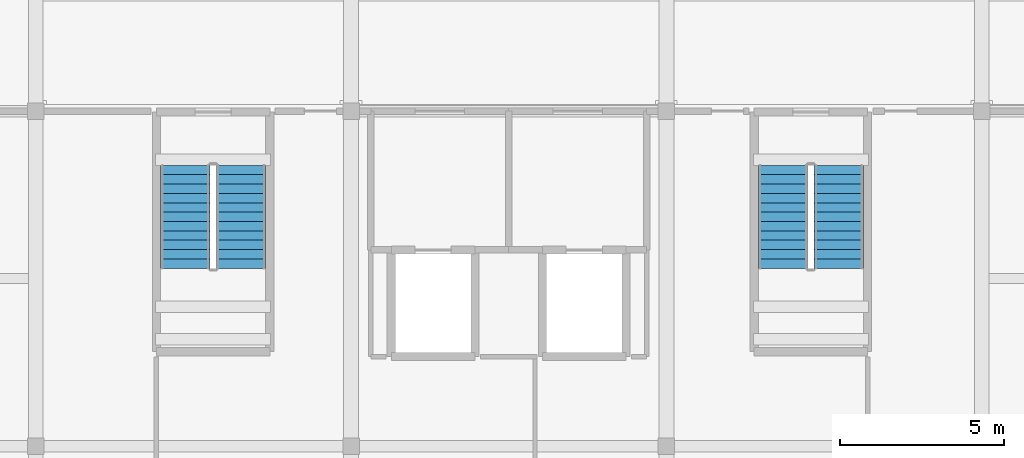
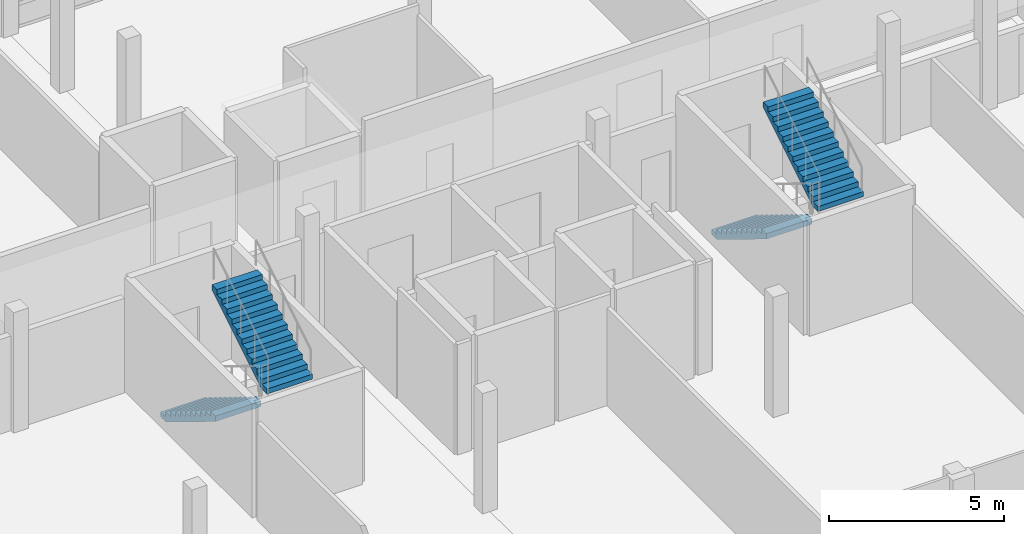
# One storey, part 23 of 29: 4 stair flights, 2 elements without a shape of their own.
"""IFC4 building model written with IfcOpenShell, lengths in metres."""

from ifc_helpers import new_model, si_unit, direction, frame, origin, place, context, subcontext, project, spatial, polyline, outline, extrude, material, type_object, element, aggregate, save


model = new_model("IFC4")

# Units and contexts
model_context = context("Model", 3, precision=1e-05, world=origin(), true_north=direction((0.0, 1.0)))
body_context = subcontext(model_context, "Body", "Model", "MODEL_VIEW")
ifc_project = project(units=[si_unit("LENGTHUNIT", "METRE"), si_unit("AREAUNIT", "SQUARE_METRE"), si_unit("VOLUMEUNIT", "CUBIC_METRE"), si_unit("PLANEANGLEUNIT", "RADIAN"), si_unit("MASSUNIT", "GRAM", prefix="KILO")], contexts=[model_context])

# Site, building, storey
site_placement = place(None, origin())
site = spatial("IfcSite", under=ifc_project, at=site_placement, CompositionType="ELEMENT")
building_placement = place(site_placement, origin())
building = spatial("IfcBuilding", under=site, at=building_placement, Name="Vondelvale Polytechnic", CompositionType="ELEMENT")
storey_placement = place(building_placement, frame((0.0, 0.0, 26.39990234375)))
storey = spatial("IfcBuildingStorey", under=building, at=storey_placement, Name="L06", CompositionType="ELEMENT", Elevation=26.39990234375)

# Stair, stair flights
ifc_material = material(Name="Concrete N40 (f'c = 40 MPa)", Category="concrete")
stair_type = type_object("IfcStairType", Name="STR-DOG-1500", PredefinedType="HALF_TURN_STAIR", material=ifc_material)
stair_1_placement = place(storey_placement, origin())
stair_1 = element("IfcStair", 1, at=stair_1_placement, inside=storey, type_object=stair_type, Name="L06 ST-03", PredefinedType="HALF_TURN_STAIR")
stair_flight_type = type_object("IfcStairFlightType", Name="STF-DOG-1500", PredefinedType="STRAIGHT", material=ifc_material)
stair_flight_1_placement = place(storey_placement, frame((14.14990234375, 18.75, 0.0), z_axis=(0.0, 0.0, 1.0), x_axis=(0.0, -1.0, 0.0)))
stair_flight_1 = element("IfcStairFlight", 2, at=stair_flight_1_placement, type_object=stair_flight_type, Name="ST-03 flight 1", NumberOfRisers=12, NumberOfTreads=11, PredefinedType="STRAIGHT", RiserHeight=0.175, TreadLength=0.285, context=body_context, shape_type="SweptSolid", body=[
    extrude(outline(polyline([(0.0, 0.0), (0.0, 0.175048828125), (0.284912109375, 0.175048828125), (0.284912109375, 0.35009765625), (0.570068359375, 0.35009765625), (0.570068359375, 0.52490234375), (0.85498046875, 0.52490234375), (0.85498046875, 0.699951171875), (1.139892578125, 0.699951171875), (1.139892578125, 0.875), (1.425048828125, 0.875), (1.425048828125, 1.050048828125), (1.7099609375, 1.050048828125), (1.7099609375, 1.22509765625), (1.9951171875, 1.22509765625), (1.9951171875, 1.39990234375), (2.280029296875, 1.39990234375), (2.280029296875, 1.574951171875), (2.56494140625, 1.574951171875), (2.56494140625, 1.75), (2.85009765625, 1.75), (2.85009765625, 1.925048828125), (3.135009765625, 1.925048828125), (3.135009765625, 2.10009765625), (3.135009765625, 1.7373046875), (0.3056640625, 0.0), (0.0, 0.0)])), frame((0.0, 0.75, 0.0), z_axis=(0.0, -1.0, 0.0), x_axis=(1.0, 0.0, 0.0)), (0.0, 0.0, 1.0), 1.5),
])
stair_flight_2_placement = place(storey_placement, frame((15.85009765625, 15.614990234375, 2.10009765625), z_axis=(0.0, 0.0, 1.0), x_axis=(0.0, 1.0, 0.0)))
stair_flight_2 = element("IfcStairFlight", 3, at=stair_flight_2_placement, type_object=stair_flight_type, Name="ST-03 flight 2", NumberOfRisers=12, NumberOfTreads=11, PredefinedType="STRAIGHT", RiserHeight=0.175, TreadLength=0.285, context=body_context, shape_type="SweptSolid", body=[
    extrude(outline(polyline([(0.0, 0.0), (0.0, 0.175048828125), (0.284912109375, 0.175048828125), (0.284912109375, 0.35009765625), (0.570068359375, 0.35009765625), (0.570068359375, 0.52490234375), (0.85498046875, 0.52490234375), (0.85498046875, 0.699951171875), (1.139892578125, 0.699951171875), (1.139892578125, 0.875), (1.425048828125, 0.875), (1.425048828125, 1.050048828125), (1.7099609375, 1.050048828125), (1.7099609375, 1.22509765625), (1.9951171875, 1.22509765625), (1.9951171875, 1.39990234375), (2.280029296875, 1.39990234375), (2.280029296875, 1.574951171875), (2.56494140625, 1.574951171875), (2.56494140625, 1.75), (2.85009765625, 1.75), (2.85009765625, 1.925048828125), (3.135009765625, 1.925048828125), (3.135009765625, 2.10009765625), (3.135009765625, 1.7373046875), (0.3056640625, 0.0), (0.0, 0.0)])), frame((0.0, 0.75, 0.0), z_axis=(0.0, -1.0, 0.0), x_axis=(1.0, 0.0, 0.0)), (0.0, 0.0, 1.0), 1.5),
])
aggregate(stair_1, [stair_flight_1, stair_flight_2])

stair_2_placement = place(storey_placement, origin())
stair_2 = element("IfcStair", 4, at=stair_2_placement, inside=storey, type_object=stair_type, Name="L06 ST-04", PredefinedType="HALF_TURN_STAIR")
stair_flight_3_placement = place(storey_placement, frame((32.35009765625, 18.75, 0.0), z_axis=(0.0, 0.0, 1.0), x_axis=(0.0, -1.0, 0.0)))
stair_flight_3 = element("IfcStairFlight", 5, at=stair_flight_3_placement, type_object=stair_flight_type, Name="ST-04 flight 1", NumberOfRisers=12, NumberOfTreads=11, PredefinedType="STRAIGHT", RiserHeight=0.175, TreadLength=0.285, context=body_context, shape_type="SweptSolid", body=[
    extrude(outline(polyline([(0.0, 0.0), (0.0, 0.175048828125), (0.284912109375, 0.175048828125), (0.284912109375, 0.35009765625), (0.570068359375, 0.35009765625), (0.570068359375, 0.52490234375), (0.85498046875, 0.52490234375), (0.85498046875, 0.699951171875), (1.139892578125, 0.699951171875), (1.139892578125, 0.875), (1.425048828125, 0.875), (1.425048828125, 1.050048828125), (1.7099609375, 1.050048828125), (1.7099609375, 1.22509765625), (1.9951171875, 1.22509765625), (1.9951171875, 1.39990234375), (2.280029296875, 1.39990234375), (2.280029296875, 1.574951171875), (2.56494140625, 1.574951171875), (2.56494140625, 1.75), (2.85009765625, 1.75), (2.85009765625, 1.925048828125), (3.135009765625, 1.925048828125), (3.135009765625, 2.10009765625), (3.135009765625, 1.7373046875), (0.3056640625, 0.0), (0.0, 0.0)])), frame((0.0, 0.75, 0.0), z_axis=(0.0, -1.0, 0.0), x_axis=(1.0, 0.0, 0.0)), (0.0, 0.0, 1.0), 1.5),
])
stair_flight_4_placement = place(storey_placement, frame((34.050048828125, 15.614990234375, 2.10009765625), z_axis=(0.0, 0.0, 1.0), x_axis=(0.0, 1.0, 0.0)))
stair_flight_4 = element("IfcStairFlight", 6, at=stair_flight_4_placement, type_object=stair_flight_type, Name="ST-04 flight 2", NumberOfRisers=12, NumberOfTreads=11, PredefinedType="STRAIGHT", RiserHeight=0.175, TreadLength=0.285, context=body_context, shape_type="SweptSolid", body=[
    extrude(outline(polyline([(0.0, 0.0), (0.0, 0.175048828125), (0.284912109375, 0.175048828125), (0.284912109375, 0.35009765625), (0.570068359375, 0.35009765625), (0.570068359375, 0.52490234375), (0.85498046875, 0.52490234375), (0.85498046875, 0.699951171875), (1.139892578125, 0.699951171875), (1.139892578125, 0.875), (1.425048828125, 0.875), (1.425048828125, 1.050048828125), (1.7099609375, 1.050048828125), (1.7099609375, 1.22509765625), (1.9951171875, 1.22509765625), (1.9951171875, 1.39990234375), (2.280029296875, 1.39990234375), (2.280029296875, 1.574951171875), (2.56494140625, 1.574951171875), (2.56494140625, 1.75), (2.85009765625, 1.75), (2.85009765625, 1.925048828125), (3.135009765625, 1.925048828125), (3.135009765625, 2.10009765625), (3.135009765625, 1.7373046875), (0.3056640625, 0.0), (0.0, 0.0)])), frame((0.0, 0.75, 0.0), z_axis=(0.0, -1.0, 0.0), x_axis=(1.0, 0.0, 0.0)), (0.0, 0.0, 1.0), 1.5),
])
aggregate(stair_2, [stair_flight_3, stair_flight_4])

save(model, "model.ifc")
